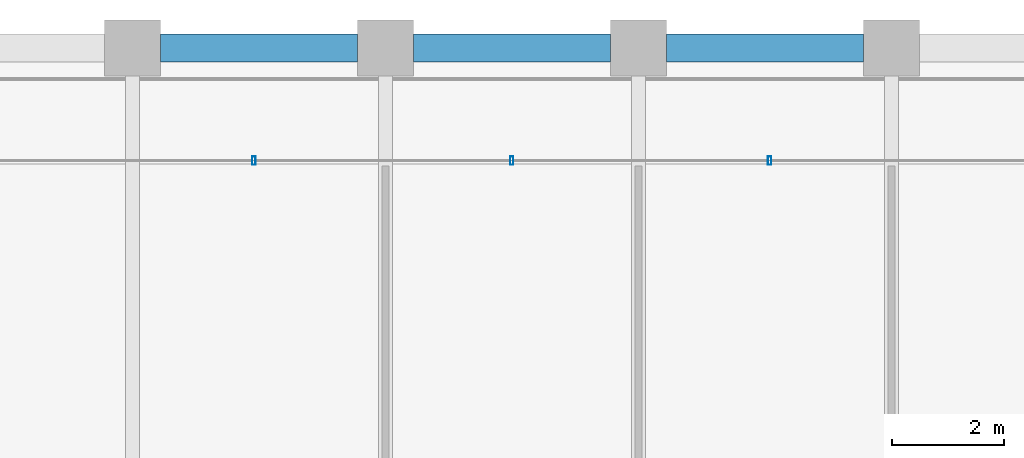
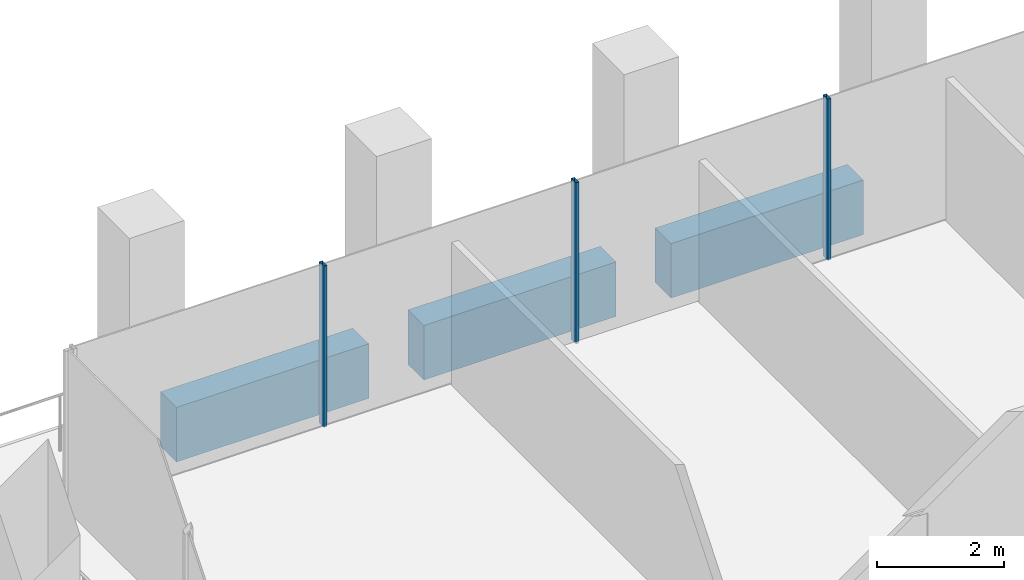
# One storey, part 23 of 46: 3 beams, 3 members, 1 element without a shape of its own.
"""IFC4 building model written with IfcOpenShell, lengths in metres."""

from ifc_helpers import new_model, si_unit, direction, frame, origin, origin_2d, place, context, subcontext, project, spatial, rectangle, hollow_rectangle, extrude, material, material_profile, profile_set, type_object, element, aggregate, save


model = new_model("IFC4")

# Units and contexts
model_context = context("Model", 3, precision=1e-05, world=origin(), true_north=direction((0.0, 1.0)))
body_context = subcontext(model_context, "Body", "Model", "MODEL_VIEW")
ifc_project = project(units=[si_unit("LENGTHUNIT", "METRE"), si_unit("AREAUNIT", "SQUARE_METRE"), si_unit("VOLUMEUNIT", "CUBIC_METRE"), si_unit("PLANEANGLEUNIT", "RADIAN"), si_unit("MASSUNIT", "GRAM", prefix="KILO")], contexts=[model_context])

# Site, building, storey
site_placement = place(None, origin())
site = spatial("IfcSite", under=ifc_project, at=site_placement, CompositionType="ELEMENT")
building_placement = place(site_placement, origin())
building = spatial("IfcBuilding", under=site, at=building_placement, Name="Altepetl Exchange Towers", CompositionType="ELEMENT")
storey_placement = place(building_placement, frame((0.0, 0.0, 128.0)))
storey = spatial("IfcBuildingStorey", under=building, at=storey_placement, Name="L31", CompositionType="ELEMENT", Elevation=128.0)

# Curtain wall, members
ifc_material_1 = material(Name="Aluminium 6063-T6 glazing", Category="aluminium")
curtain_wall_type = type_object("IfcCurtainWallType", Name="Loggia glazing system", PredefinedType="NOTDEFINED", material=ifc_material_1)
curtain_wall_placement = place(storey_placement, origin())
curtain_wall = element("IfcCurtainWall", 1, at=curtain_wall_placement, inside=storey, type_object=curtain_wall_type, Name="CW1 run", PredefinedType="NOTDEFINED")
ifc_material_2 = material(Name="Aluminium 6063-T6", Category="aluminium")
ifc_material_profile_1 = material_profile(ifc_material_2, hollow_rectangle(XDim=0.06005859375, YDim=0.14990234375, WallThickness=0.0029296875, at=origin_2d()), Name="Mullion 60x150 aluminium")
ifc_profile_set_1 = profile_set([ifc_material_profile_1], Name="Aluminium 6063-T6")
member_type = type_object("IfcMemberType", Name="Mullion 60x150 aluminium", PredefinedType="MULLION", material=ifc_profile_set_1)
member_1_placement = place(storey_placement, frame((56.330078125, 70.0, 0.0), z_axis=(0.0, 0.0, 1.0), x_axis=(-1.0, 0.0, 0.0)))
member_1 = element("IfcMember", 2, at=member_1_placement, type_object=member_type, Name="MU1 mullion", PredefinedType="MULLION", context=body_context, shape_type="SweptSolid", body=[
    extrude(hollow_rectangle(XDim=0.06005859375, YDim=0.14990234375, WallThickness=0.0029296875, at=origin_2d()), origin(), (0.0, 0.0, 1.0), 3.10009765625),
])
member_2_placement = place(storey_placement, frame((51.7451171875, 70.0, 0.0), z_axis=(0.0, 0.0, 1.0), x_axis=(-1.0, 0.0, 0.0)))
member_2 = element("IfcMember", 3, at=member_2_placement, type_object=member_type, Name="MU1 mullion", PredefinedType="MULLION", context=body_context, shape_type="SweptSolid", body=[
    extrude(hollow_rectangle(XDim=0.06005859375, YDim=0.14990234375, WallThickness=0.0029296875, at=origin_2d()), origin(), (0.0, 0.0, 1.0), 3.10009765625),
])
member_3_placement = place(storey_placement, frame((47.159912109375, 70.0, 0.0), z_axis=(0.0, 0.0, 1.0), x_axis=(-1.0, 0.0, 0.0)))
member_3 = element("IfcMember", 4, at=member_3_placement, type_object=member_type, Name="MU1 mullion", PredefinedType="MULLION", context=body_context, shape_type="SweptSolid", body=[
    extrude(hollow_rectangle(XDim=0.06005859375, YDim=0.14990234375, WallThickness=0.0029296875, at=origin_2d()), origin(), (0.0, 0.0, 1.0), 3.10009765625),
])
aggregate(curtain_wall, [member_1, member_2, member_3])

# Beams
ifc_material_3 = material(Name="Concrete C50/60 precast with cantera rosa facing", Category="concrete")
ifc_material_profile_2 = material_profile(ifc_material_3, rectangle(XDim=0.5, YDim=1.050048828125, at=origin_2d()), Name="500 x 1050")
ifc_profile_set_2 = profile_set([ifc_material_profile_2], Name="Concrete C50/60 precast with cantera rosa facing")
beam_type = type_object("IfcBeamType", Name="Spandrel beam 500x1050 cantera rosa", PredefinedType="SPANDREL", material=ifc_profile_set_2)
for number, where, z_axis, x_axis, name in (
    (5, (58.0, 72.0, -0.675048828125), (-1.0, 0.0, 0.0), (0.0, -1.0, 0.0), "sp:A:L31:026"),
    (6, (53.5, 72.0, -0.675048828125), (-1.0, 0.0, 0.0), (0.0, -1.0, 0.0), "sp:A:L31:027"),
    (7, (49.0, 72.0, -0.675048828125), (-1.0, 0.0, 0.0), (0.0, -1.0, 0.0), "sp:A:L31:028"),
):
    element("IfcBeam", number, at=place(storey_placement, frame(where, z_axis=z_axis, x_axis=x_axis)), inside=storey, type_object=beam_type, Name=name, PredefinedType="SPANDREL", context=body_context, shape_type="SweptSolid", body=[
        extrude(rectangle(XDim=0.5, YDim=1.050048828125, at=origin_2d()), origin(), (0.0, 0.0, 1.0), 3.5),
    ])

save(model, "model.ifc")
